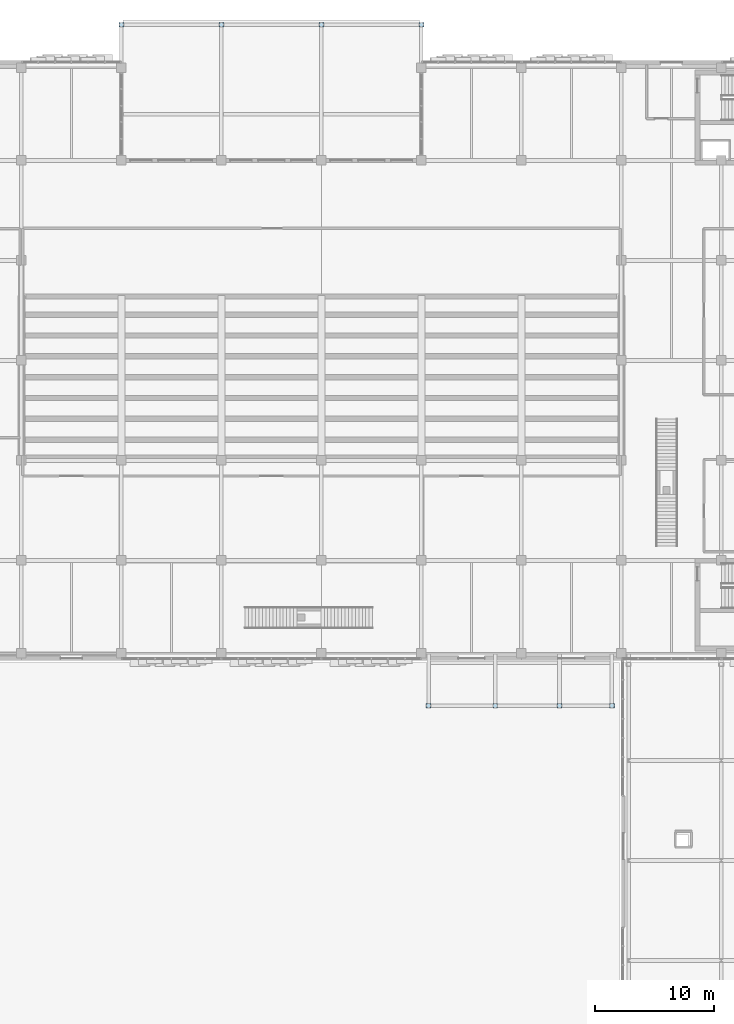
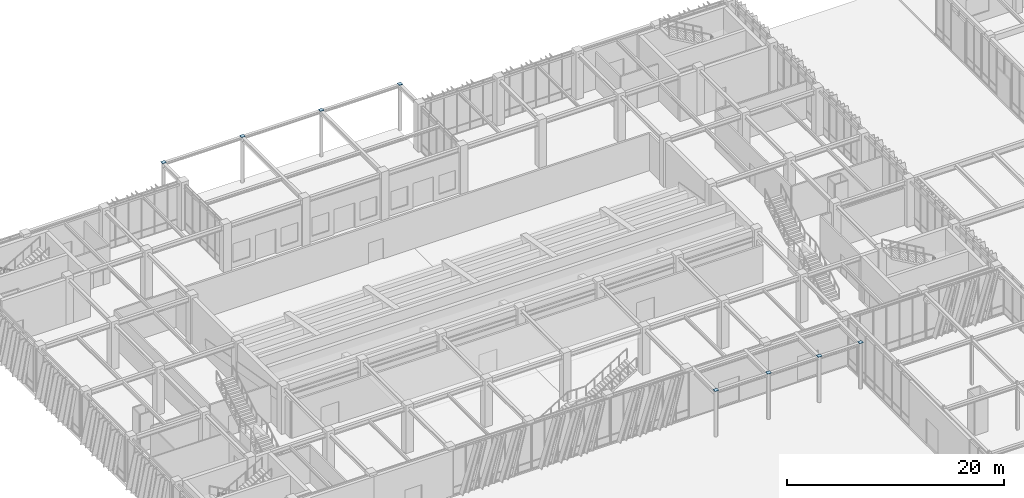
# One storey, part 90 of 122: 8 plates.
"""IFC4 building model written with IfcOpenShell, lengths in metres."""

from ifc_helpers import new_model, si_unit, direction, frame, origin, origin_2d, place, context, subcontext, project, spatial, rectangle, extrude, material, layer, layer_set, type_object, element, save


model = new_model("IFC4")

# Units and contexts
model_context = context("Model", 3, precision=1e-05, world=origin(), true_north=direction((0.0, 1.0)))
body_context = subcontext(model_context, "Body", "Model", "MODEL_VIEW")
ifc_project = project(units=[si_unit("LENGTHUNIT", "METRE"), si_unit("AREAUNIT", "SQUARE_METRE"), si_unit("VOLUMEUNIT", "CUBIC_METRE"), si_unit("PLANEANGLEUNIT", "RADIAN"), si_unit("MASSUNIT", "GRAM", prefix="KILO")], contexts=[model_context])

# Site, building, storey
site_placement = place(None, origin())
site = spatial("IfcSite", under=ifc_project, at=site_placement, CompositionType="ELEMENT")
building_placement = place(site_placement, origin())
building = spatial("IfcBuilding", under=site, at=building_placement, Name="Zayran Congress Hotel", CompositionType="ELEMENT")
storey_placement = place(building_placement, origin())
storey = spatial("IfcBuildingStorey", under=building, at=storey_placement, Name="L00", CompositionType="ELEMENT", Elevation=0.0)

# Plates
ifc_material = material(Name="Steel S355", Category="steel")
ifc_layer = layer(ifc_material, 0.39990234375)
ifc_layer_set = layer_set([ifc_layer], Name="Steel S355")
plate_type = type_object("IfcPlateType", Name="TP-CP-01", PredefinedType="USERDEFINED", material=ifc_layer_set)
for number, where, z_axis, x_axis, name in (
    (1, (59.39990234375, 63.800048828125, 5.159912109375), (0.0, 0.0, 1.0), (1.0, 0.0, 0.0), "Forecourt Canopy Column Welded End-Cap Plate 1"),
    (2, (65.0, 63.800048828125, 5.159912109375), (0.0, 0.0, 1.0), (1.0, 0.0, 0.0), "Forecourt Canopy Column Welded End-Cap Plate 2"),
    (3, (70.39990234375, 63.800048828125, 5.159912109375), (0.0, 0.0, 1.0), (1.0, 0.0, 0.0), "Forecourt Canopy Column Welded End-Cap Plate 3"),
    (4, (74.800048828125, 63.800048828125, 5.159912109375), (0.0, 0.0, 1.0), (1.0, 0.0, 0.0), "Forecourt Canopy Column Welded End-Cap Plate 4"),
    (5, (33.60009765625, 121.0, 5.159912109375), (0.0, 0.0, 1.0), (1.0, 0.0, 0.0), "North Avenue Canopy Column Welded End-Cap Plate 1"),
    (6, (42.0, 121.0, 5.159912109375), (0.0, 0.0, 1.0), (1.0, 0.0, 0.0), "North Avenue Canopy Column Welded End-Cap Plate 2"),
    (7, (50.39990234375, 121.0, 5.159912109375), (0.0, 0.0, 1.0), (1.0, 0.0, 0.0), "North Avenue Canopy Column Welded End-Cap Plate 3"),
    (8, (58.800048828125, 121.0, 5.159912109375), (0.0, 0.0, 1.0), (1.0, 0.0, 0.0), "North Avenue Canopy Column Welded End-Cap Plate 4"),
):
    element("IfcPlate", number, at=place(storey_placement, frame(where, z_axis=z_axis, x_axis=x_axis)), inside=storey, type_object=plate_type, Name=name, ObjectType="GUSSET_PLATE", PredefinedType="USERDEFINED", context=body_context, shape_type="SweptSolid", body=[
        extrude(rectangle(XDim=0.39990234375, YDim=0.39990234375, at=origin_2d()), origin(), (0.0, 0.0, 1.0), 0.02197265625),
    ])

save(model, "model.ifc")
